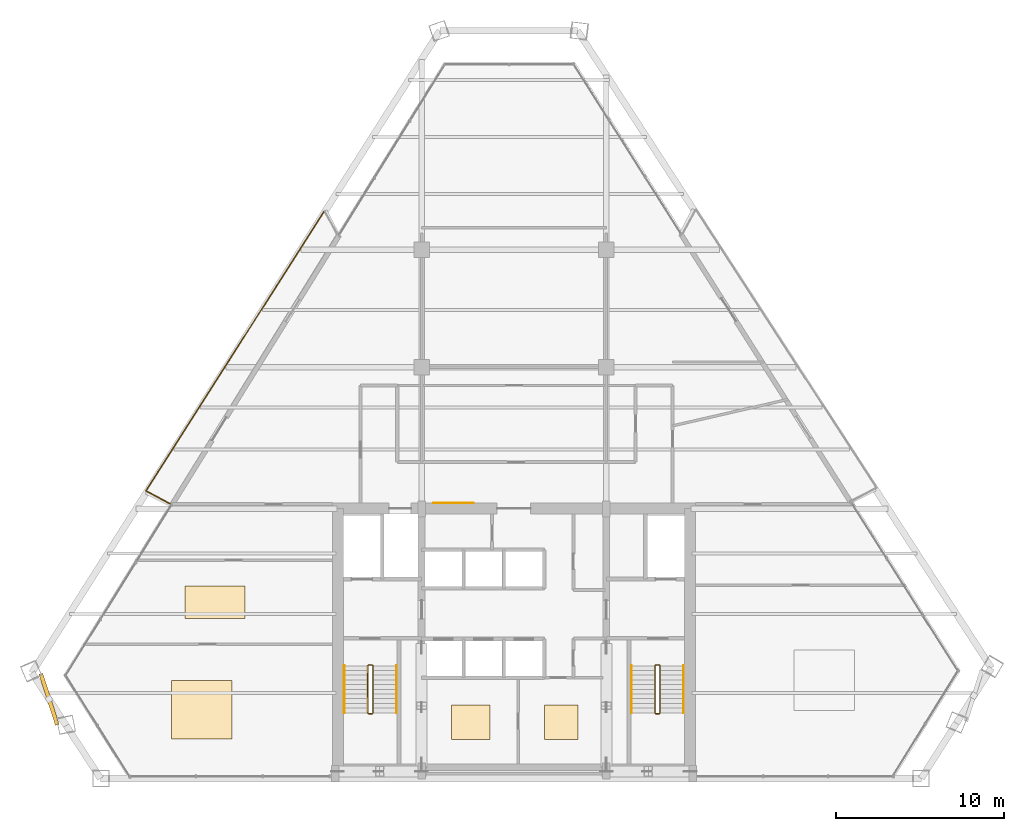
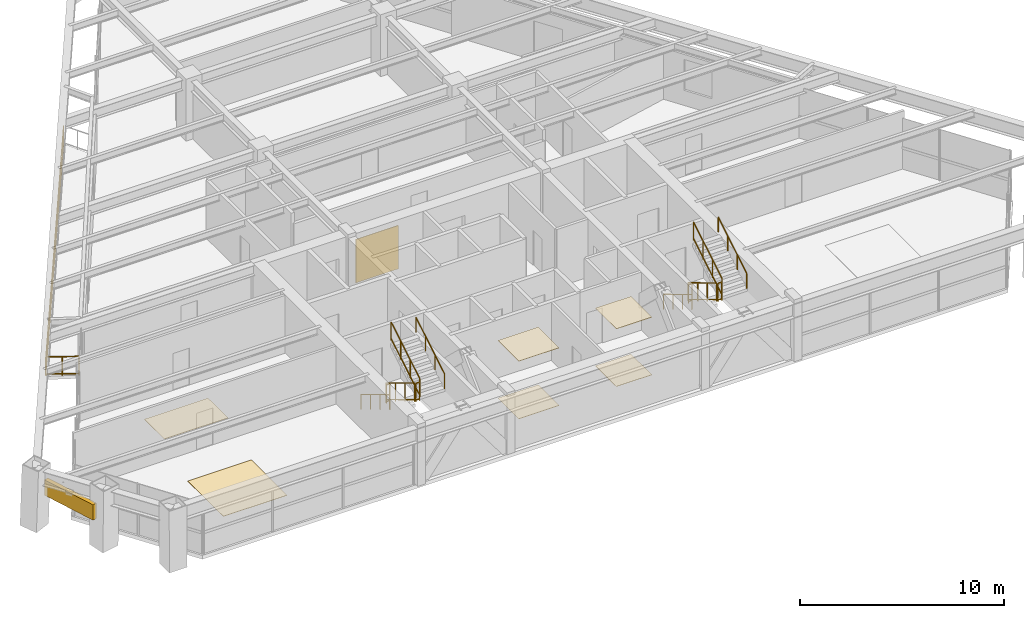
# One storey, part 14 of 15: 14 railings, 7 coverings, 1 shading device.
"""IFC4 building model written with IfcOpenShell, lengths in metres."""

from ifc_helpers import new_model, si_unit, direction, frame, origin, origin_2d, place, context, subcontext, project, spatial, rectangle, extrude, source, transform, mapped, material, layer, layer_set, type_object, type_shapes, element, save


model = new_model("IFC4")

# Units and contexts
model_context = context("Model", 3, precision=1e-05, world=origin(), true_north=direction((0.0, 1.0)))
body_context = subcontext(model_context, "Body", "Model", "MODEL_VIEW")
ifc_project = project(units=[si_unit("LENGTHUNIT", "METRE"), si_unit("AREAUNIT", "SQUARE_METRE"), si_unit("VOLUMEUNIT", "CUBIC_METRE"), si_unit("PLANEANGLEUNIT", "RADIAN"), si_unit("MASSUNIT", "GRAM", prefix="KILO")], contexts=[model_context])

# Site, building, storey
site_placement = place(None, origin())
site = spatial("IfcSite", under=ifc_project, at=site_placement, CompositionType="ELEMENT")
building_placement = place(site_placement, origin())
building = spatial("IfcBuilding", under=site, at=building_placement, Name="Varnakhor Terracotta Tower", CompositionType="ELEMENT")
storey_placement = place(building_placement, frame((0.0, 0.0, 185.800048828125)))
storey = spatial("IfcBuildingStorey", under=building, at=storey_placement, Name="L47", CompositionType="ELEMENT", Elevation=185.800048828125)

# Railings
ifc_material_1 = material(Name="Stainless Steel & Laminated Glass Guardrail", Category="steel")
railing_type_1 = type_object("IfcRailingType", Name="RLG-LOGGIA-GUARD-1150", PredefinedType="GUARDRAIL", material=ifc_material_1)
railing_1_placement = place(storey_placement, frame((-20.491943359375, 16.35986328125, 0.0)))
element("IfcRailing", 1, at=railing_1_placement, inside=storey, type_object=railing_type_1, Name="L47 W Loggia Glass Guard 1", PredefinedType="GUARDRAIL", context=body_context, shape_type="SweptSolid", body=[
    extrude(rectangle(XDim=0.048095703125, YDim=0.048095703125, at=origin_2d()), frame((0.0, 0.0, 1.1259765625), z_axis=(-0.880712858164, 0.473650568948, 0.0), x_axis=(-0.473650568948, -0.880712858164, 0.0)), (0.0, 0.0, 1.0), 1.62060546875),
    extrude(rectangle(XDim=0.048095703125, YDim=0.048095703125, at=origin_2d()), frame((0.0, 0.0, 0.10009765625), z_axis=(-0.880712858164, 0.473650568948, 0.0), x_axis=(-0.473650568948, -0.880712858164, 0.0)), (0.0, 0.0, 1.0), 1.62060546875),
    extrude(rectangle(XDim=0.0419921875, YDim=0.0419921875, at=origin_2d()), origin(), (0.0, 0.0, 1.0), 1.101806640625),
    extrude(rectangle(XDim=0.0419921875, YDim=0.0419921875, at=origin_2d()), frame((-0.713623046875, 0.3837890625, 0.0)), (0.0, 0.0, 1.0), 1.101806640625),
    extrude(rectangle(XDim=0.0419921875, YDim=0.0419921875, at=origin_2d()), frame((-1.42724609375, 0.767578125, 0.0)), (0.0, 0.0, 1.0), 1.101806640625),
])
railing_2_placement = place(storey_placement, frame((-21.919189453125, 17.12744140625, 0.0)))
element("IfcRailing", 2, at=railing_2_placement, inside=storey, type_object=railing_type_1, Name="L47 W Loggia Glass Guard 2", PredefinedType="GUARDRAIL", context=body_context, shape_type="SweptSolid", body=[
    extrude(rectangle(XDim=0.048095703125, YDim=0.048095703125, at=origin_2d()), frame((0.0, 0.0, 1.1259765625), z_axis=(0.537630440332, 0.84318059135, 0.0), x_axis=(-0.84318059135, 0.537630440332, 0.0)), (0.0, 0.0, 1.0), 19.7685546875),
    extrude(rectangle(XDim=0.048095703125, YDim=0.048095703125, at=origin_2d()), frame((0.0, 0.0, 0.10009765625), z_axis=(0.537630440332, 0.84318059135, 0.0), x_axis=(-0.84318059135, 0.537630440332, 0.0)), (0.0, 0.0, 1.0), 19.7685546875),
    extrude(rectangle(XDim=0.0419921875, YDim=0.0419921875, at=origin_2d()), origin(), (0.0, 0.0, 1.0), 1.101806640625),
    extrude(rectangle(XDim=0.0419921875, YDim=0.0419921875, at=origin_2d()), frame((0.70849609375, 1.111328125, 0.0)), (0.0, 0.0, 1.0), 1.101806640625),
    extrude(rectangle(XDim=0.0419921875, YDim=0.0419921875, at=origin_2d()), frame((1.4169921875, 2.222412109375, 0.0)), (0.0, 0.0, 1.0), 1.101806640625),
    extrude(rectangle(XDim=0.0419921875, YDim=0.0419921875, at=origin_2d()), frame((2.125732421875, 3.333740234375, 0.0)), (0.0, 0.0, 1.0), 1.101806640625),
    extrude(rectangle(XDim=0.0419921875, YDim=0.0419921875, at=origin_2d()), frame((2.834228515625, 4.44482421875, 0.0)), (0.0, 0.0, 1.0), 1.101806640625),
    extrude(rectangle(XDim=0.0419921875, YDim=0.0419921875, at=origin_2d()), frame((3.542724609375, 5.55615234375, 0.0)), (0.0, 0.0, 1.0), 1.101806640625),
    extrude(rectangle(XDim=0.0419921875, YDim=0.0419921875, at=origin_2d()), frame((4.251220703125, 6.66748046875, 0.0)), (0.0, 0.0, 1.0), 1.101806640625),
    extrude(rectangle(XDim=0.0419921875, YDim=0.0419921875, at=origin_2d()), frame((4.959716796875, 7.778564453125, 0.0)), (0.0, 0.0, 1.0), 1.101806640625),
    extrude(rectangle(XDim=0.0419921875, YDim=0.0419921875, at=origin_2d()), frame((5.66845703125, 8.889892578125, 0.0)), (0.0, 0.0, 1.0), 1.101806640625),
    extrude(rectangle(XDim=0.0419921875, YDim=0.0419921875, at=origin_2d()), frame((6.376953125, 10.0009765625, 0.0)), (0.0, 0.0, 1.0), 1.101806640625),
    extrude(rectangle(XDim=0.0419921875, YDim=0.0419921875, at=origin_2d()), frame((7.08544921875, 11.1123046875, 0.0)), (0.0, 0.0, 1.0), 1.101806640625),
    extrude(rectangle(XDim=0.0419921875, YDim=0.0419921875, at=origin_2d()), frame((7.7939453125, 12.2236328125, 0.0)), (0.0, 0.0, 1.0), 1.101806640625),
    extrude(rectangle(XDim=0.0419921875, YDim=0.0419921875, at=origin_2d()), frame((8.50244140625, 13.334716796875, 0.0)), (0.0, 0.0, 1.0), 1.101806640625),
    extrude(rectangle(XDim=0.0419921875, YDim=0.0419921875, at=origin_2d()), frame((9.211181640625, 14.446044921875, 0.0)), (0.0, 0.0, 1.0), 1.101806640625),
    extrude(rectangle(XDim=0.0419921875, YDim=0.0419921875, at=origin_2d()), frame((9.919677734375, 15.55712890625, 0.0)), (0.0, 0.0, 1.0), 1.101806640625),
    extrude(rectangle(XDim=0.0419921875, YDim=0.0419921875, at=origin_2d()), frame((10.628173828125, 16.66845703125, 0.0)), (0.0, 0.0, 1.0), 1.101806640625),
])
ifc_material_2 = material(Name="Painted Steel Stairwell Guardrail", Category="steel")
railing_type_2 = type_object("IfcRailingType", Name="RLG-STAIR-GUARD-1120", PredefinedType="GUARDRAIL", material=ifc_material_2)
railing_3_placement = place(storey_placement, frame((-8.699951171875, 6.7099609375, 0.168212890625)))
element("IfcRailing", 3, at=railing_3_placement, inside=storey, type_object=railing_type_2, Name="L47 ST-1 stair guard 1", PredefinedType="GUARDRAIL", context=body_context, shape_type="SweptSolid", body=[
    extrude(rectangle(XDim=0.048095703125, YDim=0.048095703125, at=origin_2d()), frame((0.0, 0.0, 1.09619140625), z_axis=(0.0, -0.857275202839, 0.514858452973), x_axis=(1.0, 0.0, 0.0)), (0.0, 0.0, 1.0), 3.26611328125),
    extrude(rectangle(XDim=0.048095703125, YDim=0.048095703125, at=origin_2d()), frame((0.0, 0.0, 0.10009765625), z_axis=(0.0, -0.857275202839, 0.514858452973), x_axis=(1.0, 0.0, 0.0)), (0.0, 0.0, 1.0), 3.26611328125),
    extrude(rectangle(XDim=0.0419921875, YDim=0.0419921875, at=origin_2d()), origin(), (0.0, 0.0, 1.0), 1.072021484375),
    extrude(rectangle(XDim=0.0419921875, YDim=0.0419921875, at=origin_2d()), frame((0.0, -0.933349609375, 0.560546875)), (0.0, 0.0, 1.0), 1.072021484375),
    extrude(rectangle(XDim=0.0419921875, YDim=0.0419921875, at=origin_2d()), frame((0.0, -1.86669921875, 1.12109375)), (0.0, 0.0, 1.0), 1.072021484375),
    extrude(rectangle(XDim=0.0419921875, YDim=0.0419921875, at=origin_2d()), frame((0.0, -2.800048828125, 1.681640625)), (0.0, 0.0, 1.0), 1.072021484375),
])
railing_4_placement = place(storey_placement, frame((-8.64990234375, 3.860107421875, 1.849853515625)))
element("IfcRailing", 4, at=railing_4_placement, inside=storey, type_object=railing_type_2, Name="L47 ST-1 stair guard 2", PredefinedType="GUARDRAIL", context=body_context, shape_type="SweptSolid", body=[
    extrude(rectangle(XDim=0.048095703125, YDim=0.048095703125, at=origin_2d()), frame((0.0, 0.0, 1.09619140625), z_axis=(1.0, 0.0, 0.0), x_axis=(0.0, 1.0, 0.0)), (0.0, 0.0, 1.0), 0.199951171875),
    extrude(rectangle(XDim=0.048095703125, YDim=0.048095703125, at=origin_2d()), frame((0.0, 0.0, 0.10009765625), z_axis=(1.0, 0.0, 0.0), x_axis=(0.0, 1.0, 0.0)), (0.0, 0.0, 1.0), 0.199951171875),
    extrude(rectangle(XDim=0.0419921875, YDim=0.0419921875, at=origin_2d()), origin(), (0.0, 0.0, 1.0), 1.072021484375),
    extrude(rectangle(XDim=0.0419921875, YDim=0.0419921875, at=origin_2d()), frame((0.199951171875, 0.0, 0.0)), (0.0, 0.0, 1.0), 1.072021484375),
])
railing_5_placement = place(storey_placement, frame((-8.39990234375, 3.909912109375, 2.01806640625)))
element("IfcRailing", 5, at=railing_5_placement, inside=storey, type_object=railing_type_2, Name="L47 ST-1 stair guard 3", PredefinedType="GUARDRAIL", context=body_context, shape_type="SweptSolid", body=[
    extrude(rectangle(XDim=0.048095703125, YDim=0.048095703125, at=origin_2d()), frame((0.0, 0.0, 1.09619140625), z_axis=(0.0, 0.857242210791, 0.514913383045), x_axis=(-1.0, 0.0, 0.0)), (0.0, 0.0, 1.0), 3.266357421875),
    extrude(rectangle(XDim=0.048095703125, YDim=0.048095703125, at=origin_2d()), frame((0.0, 0.0, 0.10009765625), z_axis=(0.0, 0.857242210791, 0.514913383045), x_axis=(-1.0, 0.0, 0.0)), (0.0, 0.0, 1.0), 3.266357421875),
    extrude(rectangle(XDim=0.0419921875, YDim=0.0419921875, at=origin_2d()), origin(), (0.0, 0.0, 1.0), 1.072021484375),
    extrude(rectangle(XDim=0.0419921875, YDim=0.0419921875, at=origin_2d()), frame((0.0, 0.933349609375, 0.560546875)), (0.0, 0.0, 1.0), 1.072021484375),
    extrude(rectangle(XDim=0.0419921875, YDim=0.0419921875, at=origin_2d()), frame((0.0, 1.86669921875, 1.121337890625)), (0.0, 0.0, 1.0), 1.072021484375),
    extrude(rectangle(XDim=0.0419921875, YDim=0.0419921875, at=origin_2d()), frame((0.0, 2.800048828125, 1.681884765625)), (0.0, 0.0, 1.0), 1.072021484375),
])
railing_6_placement = place(storey_placement, frame((-8.64990234375, 6.760009765625, 0.0)))
element("IfcRailing", 6, at=railing_6_placement, inside=storey, type_object=railing_type_2, Name="L47 ST-1 stair guard 4", PredefinedType="GUARDRAIL", context=body_context, shape_type="SweptSolid", body=[
    extrude(rectangle(XDim=0.048095703125, YDim=0.048095703125, at=origin_2d()), frame((0.0, 0.0, 1.09619140625), z_axis=(1.0, 0.0, 0.0), x_axis=(0.0, 1.0, 0.0)), (0.0, 0.0, 1.0), 0.199951171875),
    extrude(rectangle(XDim=0.048095703125, YDim=0.048095703125, at=origin_2d()), frame((0.0, 0.0, 0.10009765625), z_axis=(1.0, 0.0, 0.0), x_axis=(0.0, 1.0, 0.0)), (0.0, 0.0, 1.0), 0.199951171875),
    extrude(rectangle(XDim=0.0419921875, YDim=0.0419921875, at=origin_2d()), origin(), (0.0, 0.0, 1.0), 1.072021484375),
    extrude(rectangle(XDim=0.0419921875, YDim=0.0419921875, at=origin_2d()), frame((0.199951171875, 0.0, 0.0)), (0.0, 0.0, 1.0), 1.072021484375),
])
railing_7_placement = place(storey_placement, frame((8.39990234375, 6.7099609375, 0.168212890625)))
element("IfcRailing", 7, at=railing_7_placement, inside=storey, type_object=railing_type_2, Name="L47 ST-2 stair guard 1", PredefinedType="GUARDRAIL", context=body_context, shape_type="SweptSolid", body=[
    extrude(rectangle(XDim=0.048095703125, YDim=0.048095703125, at=origin_2d()), frame((0.0, 0.0, 1.09619140625), z_axis=(0.0, -0.857275202839, 0.514858452973), x_axis=(1.0, 0.0, 0.0)), (0.0, 0.0, 1.0), 3.26611328125),
    extrude(rectangle(XDim=0.048095703125, YDim=0.048095703125, at=origin_2d()), frame((0.0, 0.0, 0.10009765625), z_axis=(0.0, -0.857275202839, 0.514858452973), x_axis=(1.0, 0.0, 0.0)), (0.0, 0.0, 1.0), 3.26611328125),
    extrude(rectangle(XDim=0.0419921875, YDim=0.0419921875, at=origin_2d()), origin(), (0.0, 0.0, 1.0), 1.072021484375),
    extrude(rectangle(XDim=0.0419921875, YDim=0.0419921875, at=origin_2d()), frame((0.0, -0.933349609375, 0.560546875)), (0.0, 0.0, 1.0), 1.072021484375),
    extrude(rectangle(XDim=0.0419921875, YDim=0.0419921875, at=origin_2d()), frame((0.0, -1.86669921875, 1.12109375)), (0.0, 0.0, 1.0), 1.072021484375),
    extrude(rectangle(XDim=0.0419921875, YDim=0.0419921875, at=origin_2d()), frame((0.0, -2.800048828125, 1.681640625)), (0.0, 0.0, 1.0), 1.072021484375),
])
railing_8_placement = place(storey_placement, frame((8.449951171875, 3.860107421875, 1.849853515625)))
element("IfcRailing", 8, at=railing_8_placement, inside=storey, type_object=railing_type_2, Name="L47 ST-2 stair guard 2", PredefinedType="GUARDRAIL", context=body_context, shape_type="SweptSolid", body=[
    extrude(rectangle(XDim=0.048095703125, YDim=0.048095703125, at=origin_2d()), frame((0.0, 0.0, 1.09619140625), z_axis=(1.0, 0.0, 0.0), x_axis=(0.0, 1.0, 0.0)), (0.0, 0.0, 1.0), 0.199951171875),
    extrude(rectangle(XDim=0.048095703125, YDim=0.048095703125, at=origin_2d()), frame((0.0, 0.0, 0.10009765625), z_axis=(1.0, 0.0, 0.0), x_axis=(0.0, 1.0, 0.0)), (0.0, 0.0, 1.0), 0.199951171875),
    extrude(rectangle(XDim=0.0419921875, YDim=0.0419921875, at=origin_2d()), origin(), (0.0, 0.0, 1.0), 1.072021484375),
    extrude(rectangle(XDim=0.0419921875, YDim=0.0419921875, at=origin_2d()), frame((0.199951171875, 0.0, 0.0)), (0.0, 0.0, 1.0), 1.072021484375),
])
railing_9_placement = place(storey_placement, frame((8.699951171875, 3.909912109375, 2.01806640625)))
element("IfcRailing", 9, at=railing_9_placement, inside=storey, type_object=railing_type_2, Name="L47 ST-2 stair guard 3", PredefinedType="GUARDRAIL", context=body_context, shape_type="SweptSolid", body=[
    extrude(rectangle(XDim=0.048095703125, YDim=0.048095703125, at=origin_2d()), frame((0.0, 0.0, 1.09619140625), z_axis=(0.0, 0.857242210791, 0.514913383045), x_axis=(-1.0, 0.0, 0.0)), (0.0, 0.0, 1.0), 3.266357421875),
    extrude(rectangle(XDim=0.048095703125, YDim=0.048095703125, at=origin_2d()), frame((0.0, 0.0, 0.10009765625), z_axis=(0.0, 0.857242210791, 0.514913383045), x_axis=(-1.0, 0.0, 0.0)), (0.0, 0.0, 1.0), 3.266357421875),
    extrude(rectangle(XDim=0.0419921875, YDim=0.0419921875, at=origin_2d()), origin(), (0.0, 0.0, 1.0), 1.072021484375),
    extrude(rectangle(XDim=0.0419921875, YDim=0.0419921875, at=origin_2d()), frame((0.0, 0.933349609375, 0.560546875)), (0.0, 0.0, 1.0), 1.072021484375),
    extrude(rectangle(XDim=0.0419921875, YDim=0.0419921875, at=origin_2d()), frame((0.0, 1.86669921875, 1.121337890625)), (0.0, 0.0, 1.0), 1.072021484375),
    extrude(rectangle(XDim=0.0419921875, YDim=0.0419921875, at=origin_2d()), frame((0.0, 2.800048828125, 1.681884765625)), (0.0, 0.0, 1.0), 1.072021484375),
])
railing_10_placement = place(storey_placement, frame((8.449951171875, 6.760009765625, 0.0)))
element("IfcRailing", 10, at=railing_10_placement, inside=storey, type_object=railing_type_2, Name="L47 ST-2 stair guard 4", PredefinedType="GUARDRAIL", context=body_context, shape_type="SweptSolid", body=[
    extrude(rectangle(XDim=0.048095703125, YDim=0.048095703125, at=origin_2d()), frame((0.0, 0.0, 1.09619140625), z_axis=(1.0, 0.0, 0.0), x_axis=(0.0, 1.0, 0.0)), (0.0, 0.0, 1.0), 0.199951171875),
    extrude(rectangle(XDim=0.048095703125, YDim=0.048095703125, at=origin_2d()), frame((0.0, 0.0, 0.10009765625), z_axis=(1.0, 0.0, 0.0), x_axis=(0.0, 1.0, 0.0)), (0.0, 0.0, 1.0), 0.199951171875),
    extrude(rectangle(XDim=0.0419921875, YDim=0.0419921875, at=origin_2d()), origin(), (0.0, 0.0, 1.0), 1.072021484375),
    extrude(rectangle(XDim=0.0419921875, YDim=0.0419921875, at=origin_2d()), frame((0.199951171875, 0.0, 0.0)), (0.0, 0.0, 1.0), 1.072021484375),
])
ifc_material_3 = material(Name="Brushed Stainless Steel Handrail", Category="steel")
railing_type_3 = type_object("IfcRailingType", Name="RLG-STAIR-HANDRAIL-920", PredefinedType="HANDRAIL", material=ifc_material_3)
railing_11_placement = place(storey_placement, frame((-10.10009765625, 6.7099609375, 0.168212890625)))
element("IfcRailing", 11, at=railing_11_placement, inside=storey, type_object=railing_type_3, Name="L47 ST-1 stair handrail 1", PredefinedType="HANDRAIL", context=body_context, shape_type="SweptSolid", body=[
    extrude(rectangle(XDim=0.048095703125, YDim=0.048095703125, at=origin_2d()), frame((0.0, 0.0, 0.89599609375), z_axis=(0.0, -0.857275202839, 0.514858452973), x_axis=(1.0, 0.0, 0.0)), (0.0, 0.0, 1.0), 3.26611328125),
    extrude(rectangle(XDim=0.0419921875, YDim=0.0419921875, at=origin_2d()), origin(), (0.0, 0.0, 1.0), 0.871826171875),
    extrude(rectangle(XDim=0.0419921875, YDim=0.0419921875, at=origin_2d()), frame((0.0, -0.933349609375, 0.560546875)), (0.0, 0.0, 1.0), 0.871826171875),
    extrude(rectangle(XDim=0.0419921875, YDim=0.0419921875, at=origin_2d()), frame((0.0, -1.86669921875, 1.12109375)), (0.0, 0.0, 1.0), 0.871826171875),
    extrude(rectangle(XDim=0.0419921875, YDim=0.0419921875, at=origin_2d()), frame((0.0, -2.800048828125, 1.681640625)), (0.0, 0.0, 1.0), 0.871826171875),
])
railing_12_placement = place(storey_placement, frame((-7.0, 3.909912109375, 2.01806640625)))
element("IfcRailing", 12, at=railing_12_placement, inside=storey, type_object=railing_type_3, Name="L47 ST-1 stair handrail 2", PredefinedType="HANDRAIL", context=body_context, shape_type="SweptSolid", body=[
    extrude(rectangle(XDim=0.048095703125, YDim=0.048095703125, at=origin_2d()), frame((0.0, 0.0, 0.89599609375), z_axis=(0.0, 0.857242210791, 0.514913383045), x_axis=(-1.0, 0.0, 0.0)), (0.0, 0.0, 1.0), 3.266357421875),
    extrude(rectangle(XDim=0.0419921875, YDim=0.0419921875, at=origin_2d()), origin(), (0.0, 0.0, 1.0), 0.871826171875),
    extrude(rectangle(XDim=0.0419921875, YDim=0.0419921875, at=origin_2d()), frame((0.0, 0.933349609375, 0.560546875)), (0.0, 0.0, 1.0), 0.871826171875),
    extrude(rectangle(XDim=0.0419921875, YDim=0.0419921875, at=origin_2d()), frame((0.0, 1.86669921875, 1.121337890625)), (0.0, 0.0, 1.0), 0.871826171875),
    extrude(rectangle(XDim=0.0419921875, YDim=0.0419921875, at=origin_2d()), frame((0.0, 2.800048828125, 1.681884765625)), (0.0, 0.0, 1.0), 0.871826171875),
])
railing_13_placement = place(storey_placement, frame((7.0, 6.7099609375, 0.168212890625)))
element("IfcRailing", 13, at=railing_13_placement, inside=storey, type_object=railing_type_3, Name="L47 ST-2 stair handrail 1", PredefinedType="HANDRAIL", context=body_context, shape_type="SweptSolid", body=[
    extrude(rectangle(XDim=0.048095703125, YDim=0.048095703125, at=origin_2d()), frame((0.0, 0.0, 0.89599609375), z_axis=(0.0, -0.857275202839, 0.514858452973), x_axis=(1.0, 0.0, 0.0)), (0.0, 0.0, 1.0), 3.26611328125),
    extrude(rectangle(XDim=0.0419921875, YDim=0.0419921875, at=origin_2d()), origin(), (0.0, 0.0, 1.0), 0.871826171875),
    extrude(rectangle(XDim=0.0419921875, YDim=0.0419921875, at=origin_2d()), frame((0.0, -0.933349609375, 0.560546875)), (0.0, 0.0, 1.0), 0.871826171875),
    extrude(rectangle(XDim=0.0419921875, YDim=0.0419921875, at=origin_2d()), frame((0.0, -1.86669921875, 1.12109375)), (0.0, 0.0, 1.0), 0.871826171875),
    extrude(rectangle(XDim=0.0419921875, YDim=0.0419921875, at=origin_2d()), frame((0.0, -2.800048828125, 1.681640625)), (0.0, 0.0, 1.0), 0.871826171875),
])
railing_14_placement = place(storey_placement, frame((10.10009765625, 3.909912109375, 2.01806640625)))
element("IfcRailing", 14, at=railing_14_placement, inside=storey, type_object=railing_type_3, Name="L47 ST-2 stair handrail 2", PredefinedType="HANDRAIL", context=body_context, shape_type="SweptSolid", body=[
    extrude(rectangle(XDim=0.048095703125, YDim=0.048095703125, at=origin_2d()), frame((0.0, 0.0, 0.89599609375), z_axis=(0.0, 0.857242210791, 0.514913383045), x_axis=(-1.0, 0.0, 0.0)), (0.0, 0.0, 1.0), 3.266357421875),
    extrude(rectangle(XDim=0.0419921875, YDim=0.0419921875, at=origin_2d()), origin(), (0.0, 0.0, 1.0), 0.871826171875),
    extrude(rectangle(XDim=0.0419921875, YDim=0.0419921875, at=origin_2d()), frame((0.0, 0.933349609375, 0.560546875)), (0.0, 0.0, 1.0), 0.871826171875),
    extrude(rectangle(XDim=0.0419921875, YDim=0.0419921875, at=origin_2d()), frame((0.0, 1.86669921875, 1.121337890625)), (0.0, 0.0, 1.0), 0.871826171875),
    extrude(rectangle(XDim=0.0419921875, YDim=0.0419921875, at=origin_2d()), frame((0.0, 2.800048828125, 1.681884765625)), (0.0, 0.0, 1.0), 0.871826171875),
])

# Shading device
ifc_material_4 = material(Name="Extruded Architectural Terracotta Screen", Category="masonry")
shading_device_type = type_object("IfcShadingDeviceType", Name="TERRACOTTA SOLAR SCREEN W", PredefinedType="USERDEFINED", material=ifc_material_4)
shared_shape_1 = source(origin(), body_context, "Body", "SweptSolid", [
    extrude(rectangle(XDim=3.199951171875, YDim=0.239990234375, at=origin_2d()), origin(), (0.0, 0.0, 1.0), 0.919921875),
])
type_shapes(shading_device_type, [shared_shape_1])
shading_device_placement = place(storey_placement, frame((-27.688232421875, 4.720703125, 1.7099609375), z_axis=(0.0, 0.0, 1.0), x_axis=(0.309083389892, -0.951034940522, 0.0)))
element("IfcShadingDevice", 15, at=shading_device_placement, inside=storey, type_object=shading_device_type, Name="L47 W Terracotta Solar Screen", ObjectType="SCREEN", PredefinedType="USERDEFINED", context=body_context, shape_type="MappedRepresentation", body=[
    mapped(shared_shape_1, transform((0.0, 0.0, 0.0), scale=1.0)),
])

# Coverings
ifc_material_5 = material(Name="Extruded Architectural Terracotta Cladding", Category="masonry")
ifc_layer_1 = layer(ifc_material_5, 0.044921875, Name="Extruded Architectural Terracotta Cladding")
ifc_layer_set_1 = layer_set([ifc_layer_1], Name="Extruded Architectural Terracotta Cladding")
covering_type_1 = type_object("IfcCoveringType", Name="COV-CLAD-TERRACOTTA", PredefinedType="CLADDING", material=ifc_layer_set_1)
shared_shape_2 = source(origin(), body_context, "Body", "SweptSolid", [
    extrude(rectangle(XDim=2.39990234375, YDim=0.030029296875, at=origin_2d()), origin(), (0.0, 0.0, 1.0), 2.60009765625),
])
type_shapes(covering_type_1, [shared_shape_2])
covering_1_placement = place(storey_placement, frame((-3.60009765625, 16.412109375, 0.0), z_axis=(0.0, 0.0, 1.0), x_axis=(1.0, 0.0, 0.0)))
element("IfcCovering", 16, at=covering_1_placement, inside=storey, type_object=covering_type_1, Name="L47 Core Lobby Limestone Cladding", PredefinedType="CLADDING", context=body_context, shape_type="MappedRepresentation", body=[
    mapped(shared_shape_2, transform((0.0, 0.0, 0.0), scale=1.0)),
])
ifc_material_6 = material(Name="Honed Riyadh Limestone Flooring", Category="masonry")
ifc_layer_2 = layer(ifc_material_6, 0.030029296875, Name="Honed Riyadh Limestone Flooring")
ifc_layer_set_2 = layer_set([ifc_layer_2], Name="Honed Riyadh Limestone Flooring")
covering_type_2 = type_object("IfcCoveringType", Name="COV-FLOOR-LIMESTONE", PredefinedType="FLOORING", material=ifc_layer_set_2)
shared_shape_3 = source(origin(), body_context, "Body", "SweptSolid", [
    extrude(rectangle(XDim=3.60009765625, YDim=1.950927734375, at=origin_2d()), origin(), (0.0, 0.0, 1.0), 0.02001953125),
])
covering_2_placement = place(storey_placement, frame((-17.802978515625, 10.5, 0.0), z_axis=(0.0, 0.0, 1.0), x_axis=(1.0, 0.0, 0.0)))
element("IfcCovering", 17, at=covering_2_placement, inside=storey, type_object=covering_type_2, Name="L47 Honed Stone Flooring 5", PredefinedType="FLOORING", context=body_context, shape_type="MappedRepresentation", body=[
    mapped(shared_shape_3, transform((0.0, 0.0, 0.0), scale=1.0)),
])
shared_shape_4 = source(origin(), body_context, "Body", "SweptSolid", [
    extrude(rectangle(XDim=2.281982421875, YDim=2.041015625, at=origin_2d()), origin(), (0.0, 0.0, 1.0), 0.02001953125),
])
covering_3_placement = place(storey_placement, frame((-2.56494140625, 3.35498046875, 0.0), z_axis=(0.0, 0.0, 1.0), x_axis=(1.0, 0.0, 0.0)))
element("IfcCovering", 18, at=covering_3_placement, inside=storey, type_object=covering_type_2, Name="L47 Honed Stone Flooring 1", PredefinedType="FLOORING", context=body_context, shape_type="MappedRepresentation", body=[
    mapped(shared_shape_4, transform((0.0, 0.0, 0.0), scale=1.0)),
])
ifc_material_7 = material(Name="Perforated Acoustic Mineral-Fibre Ceiling", Category="gypsum")
ifc_layer_3 = layer(ifc_material_7, 0.02490234375, Name="Perforated Acoustic Mineral-Fibre Ceiling")
ifc_layer_set_3 = layer_set([ifc_layer_3], Name="Perforated Acoustic Mineral-Fibre Ceiling")
covering_type_3 = type_object("IfcCoveringType", Name="COV-CEILING-ACOUSTIC", PredefinedType="CEILING", material=ifc_layer_set_3)
shared_shape_5 = source(origin(), body_context, "Body", "SweptSolid", [
    extrude(rectangle(XDim=2.281982421875, YDim=2.041015625, at=origin_2d()), origin(), (0.0, 0.0, 1.0), 0.02392578125),
])
covering_4_placement = place(storey_placement, frame((-2.56494140625, 3.35498046875, 3.446044921875), z_axis=(0.0, 0.0, 1.0), x_axis=(1.0, 0.0, 0.0)))
element("IfcCovering", 19, at=covering_4_placement, inside=storey, type_object=covering_type_3, Name="L47 Acoustic Ceiling Panel 1", PredefinedType="CEILING", context=body_context, shape_type="MappedRepresentation", body=[
    mapped(shared_shape_5, transform((0.0, 0.0, 0.0), scale=1.0)),
])
shared_shape_6 = source(origin(), body_context, "Body", "SweptSolid", [
    extrude(rectangle(XDim=2.007080078125, YDim=2.041015625, at=origin_2d()), origin(), (0.0, 0.0, 1.0), 0.02001953125),
])
covering_5_placement = place(storey_placement, frame((2.81494140625, 3.35498046875, 0.0), z_axis=(0.0, 0.0, 1.0), x_axis=(1.0, 0.0, 0.0)))
element("IfcCovering", 20, at=covering_5_placement, inside=storey, type_object=covering_type_2, Name="L47 Honed Stone Flooring 2", PredefinedType="FLOORING", context=body_context, shape_type="MappedRepresentation", body=[
    mapped(shared_shape_6, transform((0.0, 0.0, 0.0), scale=1.0)),
])
shared_shape_7 = source(origin(), body_context, "Body", "SweptSolid", [
    extrude(rectangle(XDim=2.007080078125, YDim=2.041015625, at=origin_2d()), origin(), (0.0, 0.0, 1.0), 0.02392578125),
])
covering_6_placement = place(storey_placement, frame((2.81494140625, 3.35498046875, 3.446044921875), z_axis=(0.0, 0.0, 1.0), x_axis=(1.0, 0.0, 0.0)))
element("IfcCovering", 21, at=covering_6_placement, inside=storey, type_object=covering_type_3, Name="L47 Acoustic Ceiling Panel 2", PredefinedType="CEILING", context=body_context, shape_type="MappedRepresentation", body=[
    mapped(shared_shape_7, transform((0.0, 0.0, 0.0), scale=1.0)),
])
shared_shape_8 = source(origin(), body_context, "Body", "SweptSolid", [
    extrude(rectangle(XDim=3.60009765625, YDim=3.489013671875, at=origin_2d()), origin(), (0.0, 0.0, 1.0), 0.02001953125),
])
covering_7_placement = place(storey_placement, frame((-18.60400390625, 4.10205078125, 0.0), z_axis=(0.0, 0.0, 1.0), x_axis=(1.0, 0.0, 0.0)))
element("IfcCovering", 22, at=covering_7_placement, inside=storey, type_object=covering_type_2, Name="L47 Honed Stone Flooring 3", PredefinedType="FLOORING", context=body_context, shape_type="MappedRepresentation", body=[
    mapped(shared_shape_8, transform((0.0, 0.0, 0.0), scale=1.0)),
])

save(model, "model.ifc")
